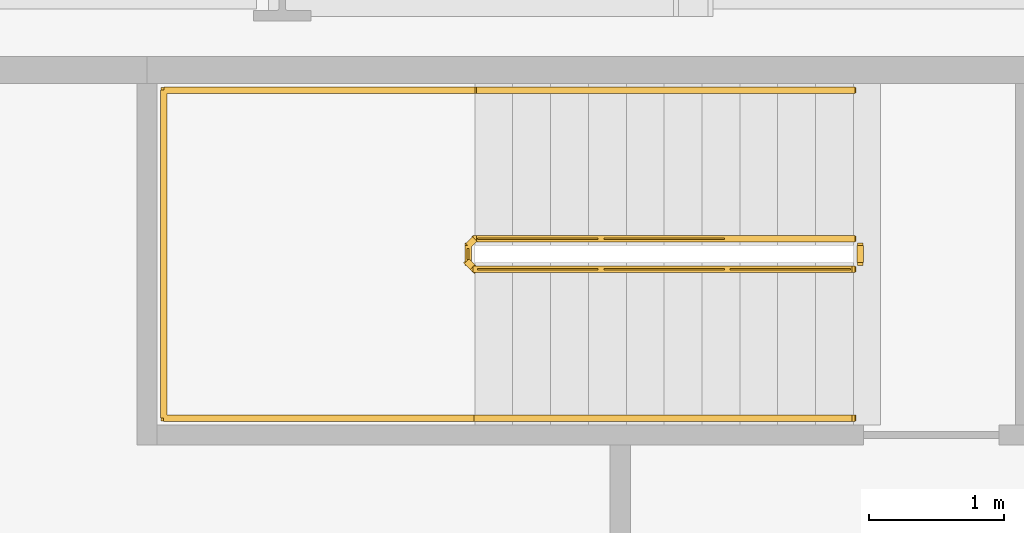
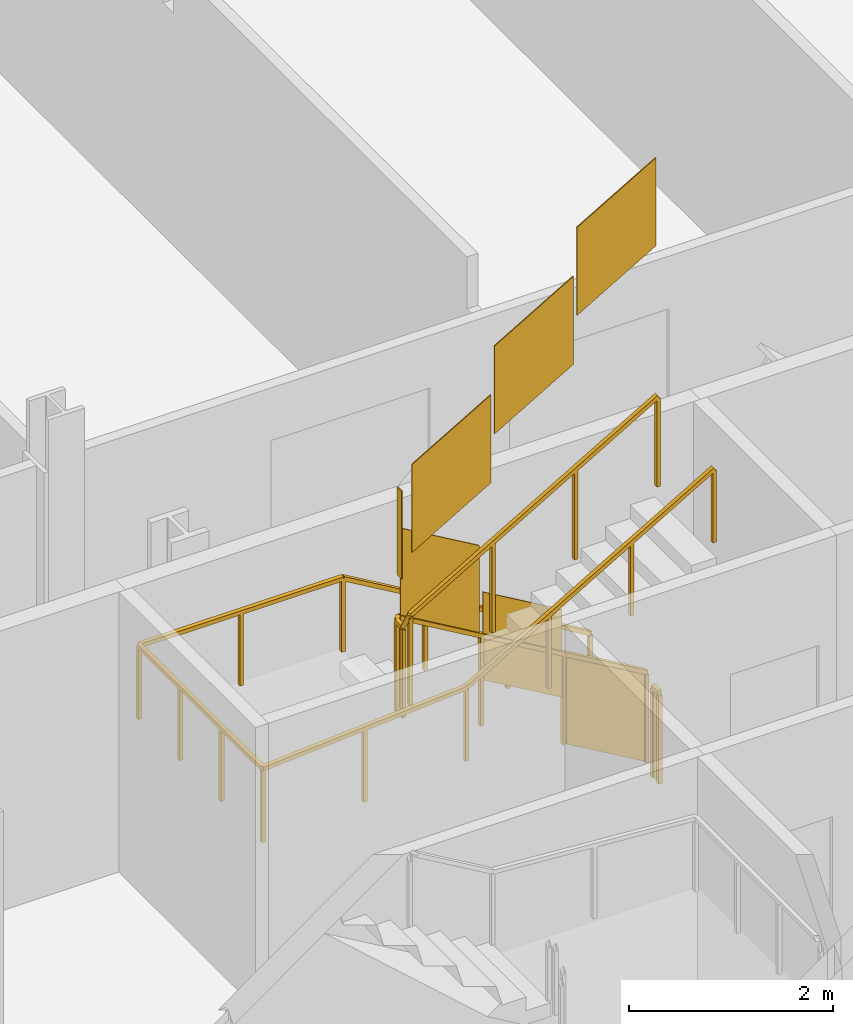
# One storey, part 20 of 23: 3 railings.
"""IFC4 building model written with IfcOpenShell, lengths in metres."""

from ifc_helpers import new_model, si_unit, direction, frame, origin, origin_2d, place, context, subcontext, project, spatial, polyline, rectangle, outline, extrude, material, type_object, element, save


model = new_model("IFC4")

# Units and contexts
model_context = context("Model", 3, precision=1e-05, world=origin(), true_north=direction((0.0, 1.0)))
body_context = subcontext(model_context, "Body", "Model", "MODEL_VIEW")
ifc_project = project(units=[si_unit("LENGTHUNIT", "METRE"), si_unit("AREAUNIT", "SQUARE_METRE"), si_unit("VOLUMEUNIT", "CUBIC_METRE"), si_unit("PLANEANGLEUNIT", "RADIAN"), si_unit("MASSUNIT", "GRAM", prefix="KILO")], contexts=[model_context])

# Site, building, storey
site_placement = place(None, origin())
site = spatial("IfcSite", under=ifc_project, at=site_placement, CompositionType="ELEMENT")
building_placement = place(site_placement, origin())
building = spatial("IfcBuilding", under=site, at=building_placement, Name="Cairn Pilgrim Tower", CompositionType="ELEMENT")
storey_placement = place(building_placement, frame((0.0, 0.0, 115.800048828125)))
storey = spatial("IfcBuildingStorey", under=building, at=storey_placement, Name="L28", CompositionType="ELEMENT", Elevation=115.800048828125)

# Railings
ifc_material = material(Name="Painted steel", Category="steel")
railing_type_1 = type_object("IfcRailingType", Name="STAIR GUARD 1100", PredefinedType="GUARDRAIL", material=ifc_material)
railing_1_placement = place(storey_placement, frame((11.425048828125, 8.949951171875, 0.16357421875)))
element("IfcRailing", 1, at=railing_1_placement, inside=storey, type_object=railing_type_1, Name="L28 ST-C stair guard 1", PredefinedType="GUARDRAIL", context=body_context, shape_type="SweptSolid", body=[
    extrude(rectangle(XDim=0.048095703125, YDim=0.048095703125, at=origin_2d()), frame((0.0, 0.0, 1.076171875), z_axis=(-0.863360870873, 0.0, 0.504586966384), x_axis=(0.0, -1.0, 0.0)), (0.0, 0.0, 1.0), 3.2431640625),
    extrude(rectangle(XDim=0.048095703125, YDim=0.048095703125, at=origin_2d()), frame((-2.800048828125, 0.0, 2.71240234375), z_axis=(-0.707106781187, -0.707106781187, 0.0), x_axis=(0.707106781187, -0.707106781187, 0.0)), (0.0, 0.0, 1.0), 0.07080078125),
    extrude(rectangle(XDim=0.048095703125, YDim=0.048095703125, at=origin_2d()), frame((-2.85009765625, -0.050048828125, 2.71240234375), z_axis=(0.0, -1.0, 0.0), x_axis=(1.0, 0.0, 0.0)), (0.0, 0.0, 1.0), 0.125),
    extrude(rectangle(XDim=0.048095703125, YDim=0.048095703125, at=origin_2d()), frame((-2.85009765625, -0.175048828125, 2.71240234375), z_axis=(0.280916556609, -0.279546231943, 0.91811752648), x_axis=(0.705375805398, 0.708833529934, 0.0)), (0.0, 0.0, 1.0), 0.17822265625),
    extrude(rectangle(XDim=0.048095703125, YDim=0.048095703125, at=origin_2d()), frame((-2.800048828125, -0.224853515625, 2.8759765625), z_axis=(0.863393664356, 0.0, 0.504530851732), x_axis=(0.0, 1.0, 0.0)), (0.0, 0.0, 1.0), 3.2431640625),
    extrude(rectangle(XDim=0.0419921875, YDim=0.0419921875, at=origin_2d()), origin(), (0.0, 0.0, 1.0), 1.052001953125),
    extrude(rectangle(XDim=0.0419921875, YDim=0.0419921875, at=origin_2d()), frame((-0.933349609375, 0.0, 0.54541015625)), (0.0, 0.0, 1.0), 1.052001953125),
    extrude(rectangle(XDim=0.0419921875, YDim=0.0419921875, at=origin_2d()), frame((-1.86669921875, 0.0, 1.091064453125)), (0.0, 0.0, 1.0), 1.052001953125),
    extrude(rectangle(XDim=0.0419921875, YDim=0.0419921875, at=origin_2d()), frame((-2.800048828125, 0.0, 1.636474609375)), (0.0, 0.0, 1.0), 1.052001953125),
    extrude(rectangle(XDim=0.0419921875, YDim=0.0419921875, at=origin_2d()), frame((-2.85009765625, -0.050048828125, 1.636474609375)), (0.0, 0.0, 1.0), 1.052001953125),
    extrude(rectangle(XDim=0.0419921875, YDim=0.0419921875, at=origin_2d()), frame((-2.85009765625, -0.175048828125, 1.636474609375)), (0.0, 0.0, 1.0), 1.052001953125),
    extrude(rectangle(XDim=0.0419921875, YDim=0.0419921875, at=origin_2d()), frame((-2.800048828125, -0.224853515625, 1.800048828125)), (0.0, 0.0, 1.0), 1.052001953125),
    extrude(rectangle(XDim=0.0419921875, YDim=0.0419921875, at=origin_2d()), frame((-1.86669921875, -0.224853515625, 2.345458984375)), (0.0, 0.0, 1.0), 1.052001953125),
    extrude(rectangle(XDim=0.0419921875, YDim=0.0419921875, at=origin_2d()), frame((-0.933349609375, -0.224853515625, 2.890869140625)), (0.0, 0.0, 1.0), 1.052001953125),
    extrude(rectangle(XDim=0.0419921875, YDim=0.0419921875, at=origin_2d()), frame((0.0, -0.224853515625, 3.436279296875)), (0.0, 0.0, 1.0), 1.052001953125),
    extrude(outline(polyline([(0.02099609375, 0.01220703125), (0.912353515625, 0.533203125), (0.912353515625, 1.585205078125), (0.02099609375, 1.064208984375), (0.02099609375, 0.01220703125)])), frame((0.0, -0.005859375, 0.0), z_axis=(0.0, 1.0, 0.0), x_axis=(-1.0, 0.0, 0.0)), (0.0, 0.0, 1.0), 0.011962890625),
    extrude(outline(polyline([(0.02099609375, 0.557861328125), (0.912353515625, 1.07861328125), (0.912353515625, 2.130615234375), (0.02099609375, 1.60986328125), (0.02099609375, 0.557861328125)])), frame((-0.933349609375, -0.005859375, 0.54541015625), z_axis=(0.0, 1.0, 0.0), x_axis=(-1.0, 0.0, 0.0)), (0.0, 0.0, 1.0), 0.011962890625),
    extrude(outline(polyline([(0.02099609375, 1.103271484375), (0.912353515625, 1.624267578125), (0.912353515625, 2.67626953125), (0.02099609375, 2.1552734375), (0.02099609375, 1.103271484375)])), frame((-1.86669921875, -0.005859375, 1.091064453125), z_axis=(0.0, 1.0, 0.0), x_axis=(-1.0, 0.0, 0.0)), (0.0, 0.0, 1.0), 0.011962890625),
    extrude(outline(polyline([(0.02099609375, 1.636474609375), (0.10400390625, 1.636474609375), (0.10400390625, 2.6884765625), (0.02099609375, 2.6884765625), (0.02099609375, 1.636474609375)])), frame((-2.84423828125, -0.050048828125, 1.636474609375), z_axis=(-1.0, 0.0, 0.0), x_axis=(0.0, -1.0, 0.0)), (0.0, 0.0, 1.0), 0.011962890625),
    extrude(outline(polyline([(0.02099609375, 1.812255859375), (0.912353515625, 2.333251953125), (0.912353515625, 3.38525390625), (0.02099609375, 2.8642578125), (0.02099609375, 1.812255859375)])), frame((-2.800048828125, -0.21875, 1.800048828125), z_axis=(0.0, -1.0, 0.0), x_axis=(1.0, 0.0, 0.0)), (0.0, 0.0, 1.0), 0.011962890625),
    extrude(outline(polyline([(0.02099609375, 2.357666015625), (0.912353515625, 2.878662109375), (0.912353515625, 3.9306640625), (0.02099609375, 3.40966796875), (0.02099609375, 2.357666015625)])), frame((-1.86669921875, -0.21875, 2.345458984375), z_axis=(0.0, -1.0, 0.0), x_axis=(1.0, 0.0, 0.0)), (0.0, 0.0, 1.0), 0.011962890625),
    extrude(outline(polyline([(0.02099609375, 2.903076171875), (0.912353515625, 3.424072265625), (0.912353515625, 4.47607421875), (0.02099609375, 3.955078125), (0.02099609375, 2.903076171875)])), frame((-0.933349609375, -0.21875, 2.890869140625), z_axis=(0.0, -1.0, 0.0), x_axis=(1.0, 0.0, 0.0)), (0.0, 0.0, 1.0), 0.011962890625),
])
railing_2_placement = place(storey_placement, frame((11.47509765625, 8.89990234375, 0.0)))
element("IfcRailing", 2, at=railing_2_placement, inside=storey, type_object=railing_type_1, Name="L28 ST-C stair guard 2", PredefinedType="GUARDRAIL", context=body_context, shape_type="SweptSolid", body=[
    extrude(rectangle(XDim=0.048095703125, YDim=0.048095703125, at=origin_2d()), frame((0.0, 0.0, 1.076171875), z_axis=(0.0, -1.0, 0.0), x_axis=(1.0, 0.0, 0.0)), (0.0, 0.0, 1.0), 0.125),
    extrude(rectangle(XDim=0.0419921875, YDim=0.0419921875, at=origin_2d()), origin(), (0.0, 0.0, 1.0), 1.052001953125),
    extrude(rectangle(XDim=0.0419921875, YDim=0.0419921875, at=origin_2d()), frame((0.0, -0.125, 0.0)), (0.0, 0.0, 1.0), 1.052001953125),
    extrude(outline(polyline([(0.02099609375, 0.0), (0.10400390625, 0.0), (0.10400390625, 1.052001953125), (0.02099609375, 1.052001953125), (0.02099609375, 0.0)])), frame((0.005859375, 0.0, 0.0), z_axis=(-1.0, 0.0, 0.0), x_axis=(0.0, -1.0, 0.0)), (0.0, 0.0, 1.0), 0.011962890625),
])
railing_type_2 = type_object("IfcRailingType", Name="STAIR HANDRAIL 900", PredefinedType="HANDRAIL", material=ifc_material)
railing_3_placement = place(storey_placement, frame((11.425048828125, 10.050048828125, 0.16357421875)))
element("IfcRailing", 3, at=railing_3_placement, inside=storey, type_object=railing_type_2, Name="L28 ST-C stair handrail 1", PredefinedType="HANDRAIL", context=body_context, shape_type="SweptSolid", body=[
    extrude(rectangle(XDim=0.048095703125, YDim=0.048095703125, at=origin_2d()), frame((0.0, 0.0, 0.8759765625), z_axis=(-0.863360870873, 0.0, 0.504586966384), x_axis=(0.0, -1.0, 0.0)), (0.0, 0.0, 1.0), 3.2431640625),
    extrude(rectangle(XDim=0.048095703125, YDim=0.048095703125, at=origin_2d()), frame((-2.800048828125, 0.0, 2.51220703125), z_axis=(-1.0, 0.0, 0.0), x_axis=(0.0, -1.0, 0.0)), (0.0, 0.0, 1.0), 2.300048828125),
    extrude(rectangle(XDim=0.048095703125, YDim=0.048095703125, at=origin_2d()), frame((-5.10009765625, 0.0, 2.51220703125), z_axis=(0.0, -1.0, 0.0), x_axis=(1.0, 0.0, 0.0)), (0.0, 0.0, 1.0), 2.425048828125),
    extrude(rectangle(XDim=0.048095703125, YDim=0.048095703125, at=origin_2d()), frame((-5.10009765625, -2.425048828125, 2.51220703125), z_axis=(0.997480687736, 0.0, 0.070938548008), x_axis=(0.0, 1.0, 0.0)), (0.0, 0.0, 1.0), 2.305908203125),
    extrude(rectangle(XDim=0.048095703125, YDim=0.048095703125, at=origin_2d()), frame((-2.800048828125, -2.425048828125, 2.67578125), z_axis=(0.863393664356, 0.0, 0.504530851732), x_axis=(0.0, 1.0, 0.0)), (0.0, 0.0, 1.0), 3.2431640625),
    extrude(rectangle(XDim=0.0419921875, YDim=0.0419921875, at=origin_2d()), origin(), (0.0, 0.0, 1.0), 0.851806640625),
    extrude(rectangle(XDim=0.0419921875, YDim=0.0419921875, at=origin_2d()), frame((-0.933349609375, 0.0, 0.54541015625)), (0.0, 0.0, 1.0), 0.851806640625),
    extrude(rectangle(XDim=0.0419921875, YDim=0.0419921875, at=origin_2d()), frame((-1.86669921875, 0.0, 1.091064453125)), (0.0, 0.0, 1.0), 0.851806640625),
    extrude(rectangle(XDim=0.0419921875, YDim=0.0419921875, at=origin_2d()), frame((-2.800048828125, 0.0, 1.636474609375)), (0.0, 0.0, 1.0), 0.851806640625),
    extrude(rectangle(XDim=0.0419921875, YDim=0.0419921875, at=origin_2d()), frame((-3.9501953125, 0.0, 1.636474609375)), (0.0, 0.0, 1.0), 0.851806640625),
    extrude(rectangle(XDim=0.0419921875, YDim=0.0419921875, at=origin_2d()), frame((-5.10009765625, 0.0, 1.636474609375)), (0.0, 0.0, 1.0), 0.851806640625),
    extrude(rectangle(XDim=0.0419921875, YDim=0.0419921875, at=origin_2d()), frame((-5.10009765625, -0.808349609375, 1.636474609375)), (0.0, 0.0, 1.0), 0.851806640625),
    extrude(rectangle(XDim=0.0419921875, YDim=0.0419921875, at=origin_2d()), frame((-5.10009765625, -1.61669921875, 1.636474609375)), (0.0, 0.0, 1.0), 0.851806640625),
    extrude(rectangle(XDim=0.0419921875, YDim=0.0419921875, at=origin_2d()), frame((-5.10009765625, -2.425048828125, 1.636474609375)), (0.0, 0.0, 1.0), 0.851806640625),
    extrude(rectangle(XDim=0.0419921875, YDim=0.0419921875, at=origin_2d()), frame((-3.9501953125, -2.425048828125, 1.71826171875)), (0.0, 0.0, 1.0), 0.851806640625),
    extrude(rectangle(XDim=0.0419921875, YDim=0.0419921875, at=origin_2d()), frame((-2.800048828125, -2.425048828125, 1.800048828125)), (0.0, 0.0, 1.0), 0.851806640625),
    extrude(rectangle(XDim=0.0419921875, YDim=0.0419921875, at=origin_2d()), frame((-1.86669921875, -2.425048828125, 2.345458984375)), (0.0, 0.0, 1.0), 0.851806640625),
    extrude(rectangle(XDim=0.0419921875, YDim=0.0419921875, at=origin_2d()), frame((-0.933349609375, -2.425048828125, 2.890869140625)), (0.0, 0.0, 1.0), 0.851806640625),
    extrude(rectangle(XDim=0.0419921875, YDim=0.0419921875, at=origin_2d()), frame((0.0, -2.425048828125, 3.436279296875)), (0.0, 0.0, 1.0), 0.851806640625),
])

save(model, "model.ifc")
